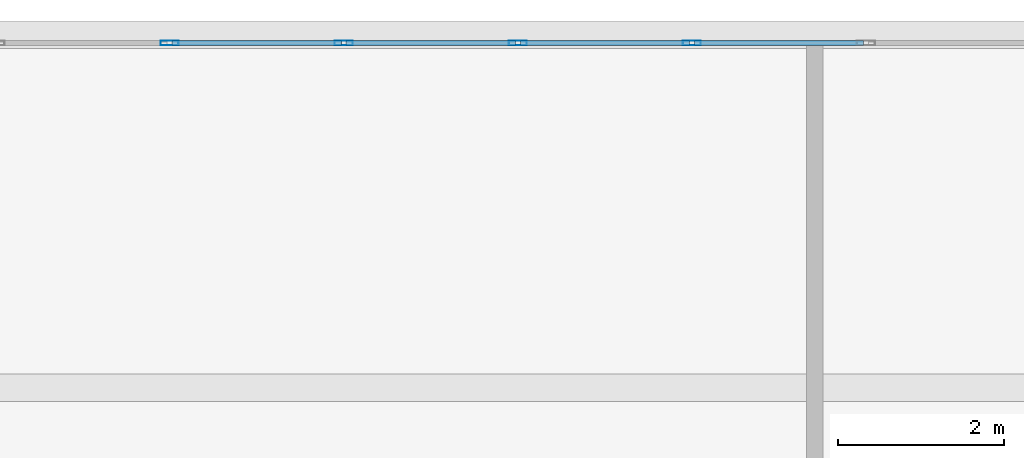
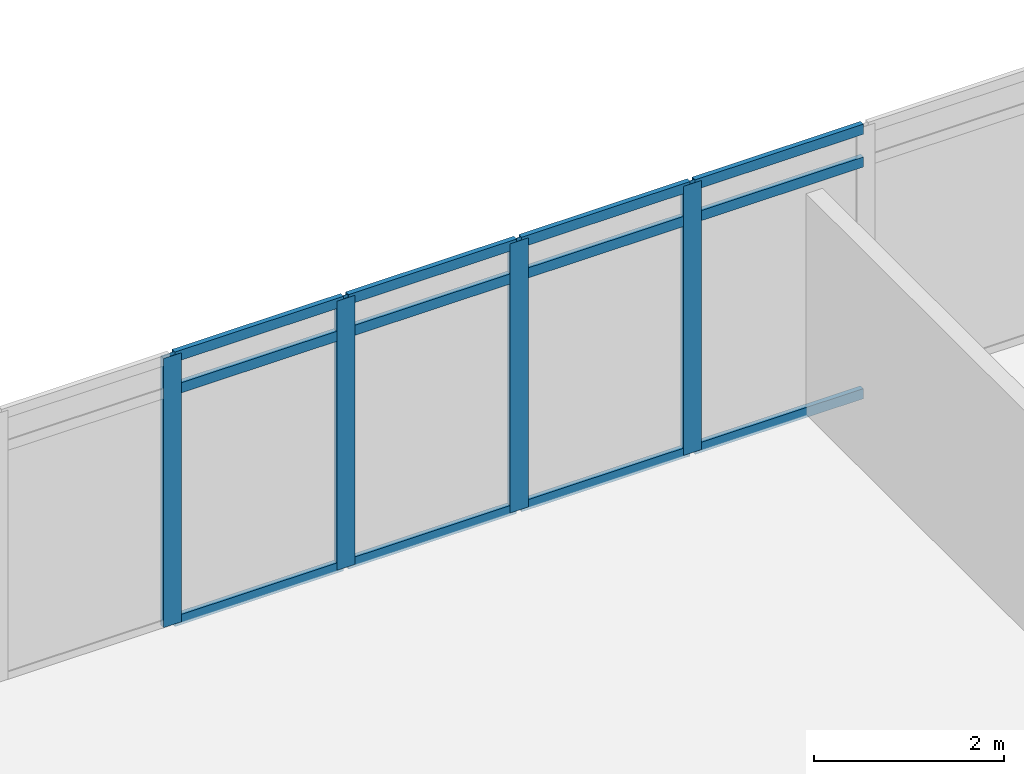
# One storey, part 18 of 35: 16 members, 1 element without a shape of its own.
"""IFC4 building model written with IfcOpenShell, lengths in metres."""

from ifc_helpers import new_model, si_unit, direction, frame, origin, origin_2d, place, context, subcontext, project, spatial, hollow_rectangle, extrude, material, material_profile, profile_set, type_object, element, aggregate, save


model = new_model("IFC4")

# Units and contexts
model_context = context("Model", 3, precision=1e-05, world=origin(), true_north=direction((0.0, 1.0)))
body_context = subcontext(model_context, "Body", "Model", "MODEL_VIEW")
ifc_project = project(units=[si_unit("LENGTHUNIT", "METRE"), si_unit("AREAUNIT", "SQUARE_METRE"), si_unit("VOLUMEUNIT", "CUBIC_METRE"), si_unit("PLANEANGLEUNIT", "RADIAN"), si_unit("MASSUNIT", "GRAM", prefix="KILO")], contexts=[model_context])

# Site, building, storey
site_placement = place(None, origin())
site = spatial("IfcSite", under=ifc_project, at=site_placement, CompositionType="ELEMENT")
building_placement = place(site_placement, origin())
building = spatial("IfcBuilding", under=site, at=building_placement, Name="Ostrander Bayou Hotel Tower", CompositionType="ELEMENT")
storey_placement = place(building_placement, frame((0.0, 0.0, 69.25)))
storey = spatial("IfcBuildingStorey", under=building, at=storey_placement, Name="L17", CompositionType="ELEMENT", Elevation=69.25)

# Curtain wall, members
ifc_material_1 = material(Name="Aluminium and clear glass", Category="aluminium")
curtain_wall_type = type_object("IfcCurtainWallType", Name="CW-BAR glazed wall", PredefinedType="NOTDEFINED", material=ifc_material_1)
curtain_wall_placement = place(storey_placement, origin())
curtain_wall = element("IfcCurtainWall", 1, at=curtain_wall_placement, inside=storey, type_object=curtain_wall_type, Name="CW-BAR L17:SB1N:T", PredefinedType="NOTDEFINED")
ifc_material_2 = material(Name="Aluminium", Category="aluminium")
ifc_material_profile_1 = material_profile(ifc_material_2, hollow_rectangle(XDim=0.06005859375, YDim=0.219970703125, WallThickness=0.00390625, at=origin_2d()))
ifc_profile_set_1 = profile_set([ifc_material_profile_1], Name="Aluminium")
member_type_1 = type_object("IfcMemberType", Name="CW-BR mullion 60 x 220 mm", PredefinedType="MULLION", material=ifc_profile_set_1)
member_1_placement = place(storey_placement, frame((0.0, 30.88623046875, 0.0), z_axis=(0.0, 0.0, 1.0), x_axis=(0.0, 1.0, 0.0)))
member_1 = element("IfcMember", 2, at=member_1_placement, type_object=member_type_1, Name="CW-BAR mullion 8", PredefinedType="MULLION", context=body_context, shape_type="SweptSolid", body=[
    extrude(hollow_rectangle(XDim=0.06005859375, YDim=0.219970703125, WallThickness=0.00390625, at=origin_2d()), origin(), (0.0, 0.0, 1.0), 3.449951171875),
])
member_2_placement = place(storey_placement, frame((2.101806640625, 30.88623046875, 0.0), z_axis=(0.0, 0.0, 1.0), x_axis=(0.0, 1.0, 0.0)))
member_2 = element("IfcMember", 3, at=member_2_placement, type_object=member_type_1, Name="CW-BAR mullion 9", PredefinedType="MULLION", context=body_context, shape_type="SweptSolid", body=[
    extrude(hollow_rectangle(XDim=0.06005859375, YDim=0.219970703125, WallThickness=0.00390625, at=origin_2d()), origin(), (0.0, 0.0, 1.0), 3.449951171875),
])
member_3_placement = place(storey_placement, frame((4.203369140625, 30.88623046875, 0.0), z_axis=(0.0, 0.0, 1.0), x_axis=(0.0, 1.0, 0.0)))
member_3 = element("IfcMember", 4, at=member_3_placement, type_object=member_type_1, Name="CW-BAR mullion 10", PredefinedType="MULLION", context=body_context, shape_type="SweptSolid", body=[
    extrude(hollow_rectangle(XDim=0.06005859375, YDim=0.219970703125, WallThickness=0.00390625, at=origin_2d()), origin(), (0.0, 0.0, 1.0), 3.449951171875),
])
member_4_placement = place(storey_placement, frame((6.30517578125, 30.88623046875, 0.0), z_axis=(0.0, 0.0, 1.0), x_axis=(0.0, 1.0, 0.0)))
member_4 = element("IfcMember", 5, at=member_4_placement, type_object=member_type_1, Name="CW-BAR mullion 11", PredefinedType="MULLION", context=body_context, shape_type="SweptSolid", body=[
    extrude(hollow_rectangle(XDim=0.06005859375, YDim=0.219970703125, WallThickness=0.00390625, at=origin_2d()), origin(), (0.0, 0.0, 1.0), 3.449951171875),
])
ifc_material_3 = material(Name="Aluminium", Category="aluminium")
ifc_material_profile_2 = material_profile(ifc_material_3, hollow_rectangle(XDim=0.06005859375, YDim=0.1298828125, WallThickness=0.00390625, at=origin_2d()))
ifc_profile_set_2 = profile_set([ifc_material_profile_2], Name="Aluminium")
member_type_2 = type_object("IfcMemberType", Name="CW-BR transom 60 x 130 mm", PredefinedType="USERDEFINED", material=ifc_profile_set_2)
member_5_placement = place(storey_placement, frame((0.030029296875, 30.88623046875, 0.030029296875), z_axis=(1.0, 0.0, 0.0), x_axis=(0.0, 1.0, 0.0)))
member_5 = element("IfcMember", 6, at=member_5_placement, type_object=member_type_2, Name="CW-BAR transom 8.1", ObjectType="TRANSOM", PredefinedType="USERDEFINED", context=body_context, shape_type="SweptSolid", body=[
    extrude(hollow_rectangle(XDim=0.06005859375, YDim=0.1298828125, WallThickness=0.00390625, at=origin_2d()), origin(), (0.0, 0.0, 1.0), 2.041748046875),
])
member_6_placement = place(storey_placement, frame((0.030029296875, 30.88623046875, 3.0), z_axis=(1.0, 0.0, 0.0), x_axis=(0.0, 1.0, 0.0)))
member_6 = element("IfcMember", 7, at=member_6_placement, type_object=member_type_2, Name="CW-BAR transom 8.2", ObjectType="TRANSOM", PredefinedType="USERDEFINED", context=body_context, shape_type="SweptSolid", body=[
    extrude(hollow_rectangle(XDim=0.06005859375, YDim=0.1298828125, WallThickness=0.00390625, at=origin_2d()), origin(), (0.0, 0.0, 1.0), 2.041748046875),
])
member_7_placement = place(storey_placement, frame((0.030029296875, 30.88623046875, 3.419921875), z_axis=(1.0, 0.0, 0.0), x_axis=(0.0, 1.0, 0.0)))
member_7 = element("IfcMember", 8, at=member_7_placement, type_object=member_type_2, Name="CW-BAR transom 8.3", ObjectType="TRANSOM", PredefinedType="USERDEFINED", context=body_context, shape_type="SweptSolid", body=[
    extrude(hollow_rectangle(XDim=0.06005859375, YDim=0.1298828125, WallThickness=0.00390625, at=origin_2d()), origin(), (0.0, 0.0, 1.0), 2.041748046875),
])
member_8_placement = place(storey_placement, frame((2.1318359375, 30.88623046875, 0.030029296875), z_axis=(1.0, 0.0, 0.0), x_axis=(0.0, 1.0, 0.0)))
member_8 = element("IfcMember", 9, at=member_8_placement, type_object=member_type_2, Name="CW-BAR transom 9.1", ObjectType="TRANSOM", PredefinedType="USERDEFINED", context=body_context, shape_type="SweptSolid", body=[
    extrude(hollow_rectangle(XDim=0.06005859375, YDim=0.1298828125, WallThickness=0.00390625, at=origin_2d()), origin(), (0.0, 0.0, 1.0), 2.041748046875),
])
member_9_placement = place(storey_placement, frame((2.1318359375, 30.88623046875, 3.0), z_axis=(1.0, 0.0, 0.0), x_axis=(0.0, 1.0, 0.0)))
member_9 = element("IfcMember", 10, at=member_9_placement, type_object=member_type_2, Name="CW-BAR transom 9.2", ObjectType="TRANSOM", PredefinedType="USERDEFINED", context=body_context, shape_type="SweptSolid", body=[
    extrude(hollow_rectangle(XDim=0.06005859375, YDim=0.1298828125, WallThickness=0.00390625, at=origin_2d()), origin(), (0.0, 0.0, 1.0), 2.041748046875),
])
member_10_placement = place(storey_placement, frame((2.1318359375, 30.88623046875, 3.419921875), z_axis=(1.0, 0.0, 0.0), x_axis=(0.0, 1.0, 0.0)))
member_10 = element("IfcMember", 11, at=member_10_placement, type_object=member_type_2, Name="CW-BAR transom 9.3", ObjectType="TRANSOM", PredefinedType="USERDEFINED", context=body_context, shape_type="SweptSolid", body=[
    extrude(hollow_rectangle(XDim=0.06005859375, YDim=0.1298828125, WallThickness=0.00390625, at=origin_2d()), origin(), (0.0, 0.0, 1.0), 2.041748046875),
])
member_11_placement = place(storey_placement, frame((4.2333984375, 30.88623046875, 0.030029296875), z_axis=(1.0, 0.0, 0.0), x_axis=(0.0, 1.0, 0.0)))
member_11 = element("IfcMember", 12, at=member_11_placement, type_object=member_type_2, Name="CW-BAR transom 10.1", ObjectType="TRANSOM", PredefinedType="USERDEFINED", context=body_context, shape_type="SweptSolid", body=[
    extrude(hollow_rectangle(XDim=0.06005859375, YDim=0.1298828125, WallThickness=0.00390625, at=origin_2d()), origin(), (0.0, 0.0, 1.0), 2.041748046875),
])
member_12_placement = place(storey_placement, frame((4.2333984375, 30.88623046875, 3.0), z_axis=(1.0, 0.0, 0.0), x_axis=(0.0, 1.0, 0.0)))
member_12 = element("IfcMember", 13, at=member_12_placement, type_object=member_type_2, Name="CW-BAR transom 10.2", ObjectType="TRANSOM", PredefinedType="USERDEFINED", context=body_context, shape_type="SweptSolid", body=[
    extrude(hollow_rectangle(XDim=0.06005859375, YDim=0.1298828125, WallThickness=0.00390625, at=origin_2d()), origin(), (0.0, 0.0, 1.0), 2.041748046875),
])
member_13_placement = place(storey_placement, frame((4.2333984375, 30.88623046875, 3.419921875), z_axis=(1.0, 0.0, 0.0), x_axis=(0.0, 1.0, 0.0)))
member_13 = element("IfcMember", 14, at=member_13_placement, type_object=member_type_2, Name="CW-BAR transom 10.3", ObjectType="TRANSOM", PredefinedType="USERDEFINED", context=body_context, shape_type="SweptSolid", body=[
    extrude(hollow_rectangle(XDim=0.06005859375, YDim=0.1298828125, WallThickness=0.00390625, at=origin_2d()), origin(), (0.0, 0.0, 1.0), 2.041748046875),
])
member_14_placement = place(storey_placement, frame((6.335205078125, 30.88623046875, 0.030029296875), z_axis=(1.0, 0.0, 0.0), x_axis=(0.0, 1.0, 0.0)))
member_14 = element("IfcMember", 15, at=member_14_placement, type_object=member_type_2, Name="CW-BAR transom 11.1", ObjectType="TRANSOM", PredefinedType="USERDEFINED", context=body_context, shape_type="SweptSolid", body=[
    extrude(hollow_rectangle(XDim=0.06005859375, YDim=0.1298828125, WallThickness=0.00390625, at=origin_2d()), origin(), (0.0, 0.0, 1.0), 2.041748046875),
])
member_15_placement = place(storey_placement, frame((6.335205078125, 30.88623046875, 3.0), z_axis=(1.0, 0.0, 0.0), x_axis=(0.0, 1.0, 0.0)))
member_15 = element("IfcMember", 16, at=member_15_placement, type_object=member_type_2, Name="CW-BAR transom 11.2", ObjectType="TRANSOM", PredefinedType="USERDEFINED", context=body_context, shape_type="SweptSolid", body=[
    extrude(hollow_rectangle(XDim=0.06005859375, YDim=0.1298828125, WallThickness=0.00390625, at=origin_2d()), origin(), (0.0, 0.0, 1.0), 2.041748046875),
])
member_16_placement = place(storey_placement, frame((6.335205078125, 30.88623046875, 3.419921875), z_axis=(1.0, 0.0, 0.0), x_axis=(0.0, 1.0, 0.0)))
member_16 = element("IfcMember", 17, at=member_16_placement, type_object=member_type_2, Name="CW-BAR transom 11.3", ObjectType="TRANSOM", PredefinedType="USERDEFINED", context=body_context, shape_type="SweptSolid", body=[
    extrude(hollow_rectangle(XDim=0.06005859375, YDim=0.1298828125, WallThickness=0.00390625, at=origin_2d()), origin(), (0.0, 0.0, 1.0), 2.041748046875),
])
aggregate(curtain_wall, [member_1, member_2, member_3, member_4, member_5, member_6, member_7, member_8, member_9, member_10, member_11, member_12, member_13, member_14, member_15, member_16])

save(model, "model.ifc")
